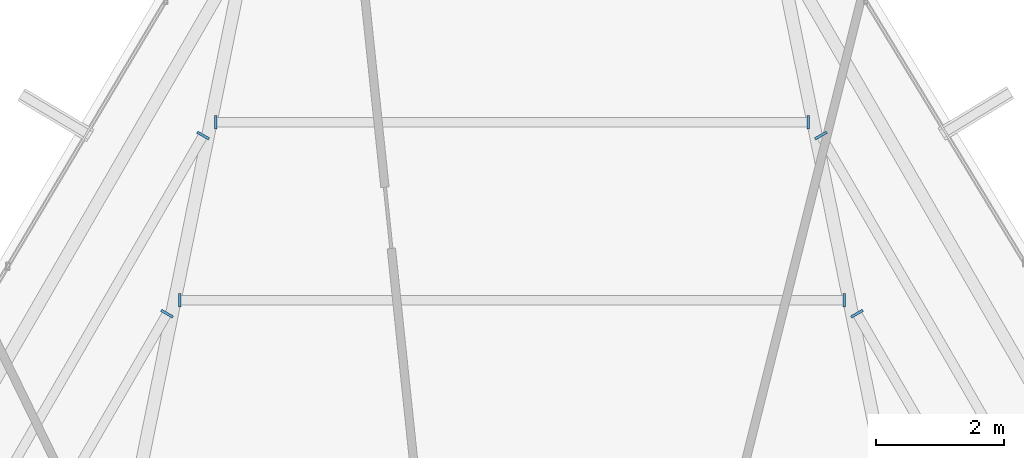
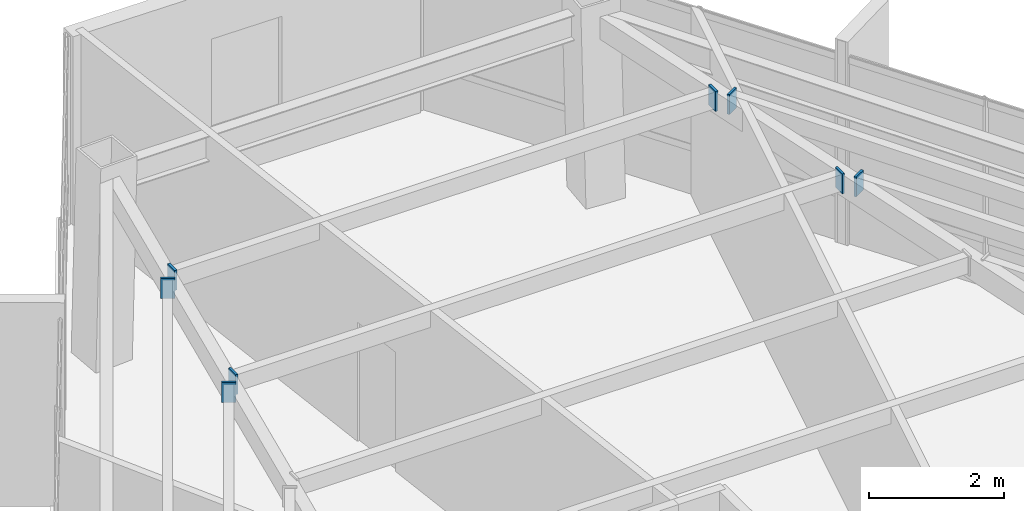
# One storey, part 39 of 45: 8 plates.
"""IFC4 building model written with IfcOpenShell, lengths in metres."""

from ifc_helpers import new_model, si_unit, direction, frame, origin, origin_2d, place, context, subcontext, project, spatial, rectangle, extrude, source, transform, mapped, material, layer, layer_set, type_object, type_shapes, element, save


model = new_model("IFC4")

# Units and contexts
model_context = context("Model", 3, precision=1e-05, world=origin(), true_north=direction((0.0, 1.0)))
body_context = subcontext(model_context, "Body", "Model", "MODEL_VIEW")
ifc_project = project(units=[si_unit("LENGTHUNIT", "METRE"), si_unit("AREAUNIT", "SQUARE_METRE"), si_unit("VOLUMEUNIT", "CUBIC_METRE"), si_unit("PLANEANGLEUNIT", "RADIAN"), si_unit("MASSUNIT", "GRAM", prefix="KILO")], contexts=[model_context])

# Site, building, storey
site_placement = place(None, origin())
site = spatial("IfcSite", under=ifc_project, at=site_placement, CompositionType="ELEMENT")
building_placement = place(site_placement, origin())
building = spatial("IfcBuilding", under=site, at=building_placement, Name="Caelisora Broadcast Tower", CompositionType="ELEMENT")
storey_placement = place(building_placement, frame((0.0, 0.0, 240.800048828125)))
storey = spatial("IfcBuildingStorey", under=building, at=storey_placement, Name="L63", CompositionType="ELEMENT", Elevation=240.800048828125)

# Plates
ifc_material = material(Name="Steel Grade 350 L15 (AS/NZS 3678)", Category="steel")
ifc_layer = layer(ifc_material, 0.0400390625, Name="Steel Grade 350 L15 (AS/NZS 3678)")
ifc_layer_set = layer_set([ifc_layer], Name="Steel Grade 350 L15 (AS/NZS 3678)")
plate_type = type_object("IfcPlateType", Name="GP04", PredefinedType="USERDEFINED", material=ifc_layer_set)
shared_shape = source(origin(), body_context, "Body", "SweptSolid", [
    extrude(rectangle(XDim=0.2099609375, YDim=0.0400390625, at=origin_2d()), origin(), (0.0, 0.0, 1.0), 0.360107421875),
])
type_shapes(plate_type, [shared_shape])
for number, where, z_axis, x_axis, name in (
    (1, (43.17529296875, 41.102294921875, 3.06982421875), (0.0, 0.0, 1.0), (0.0, -1.0, 0.0), "L63 gusset plate GP04 (ND-SB-L63-004A)"),
    (2, (32.82470703125, 41.102294921875, 3.06982421875), (0.0, 0.0, 1.0), (0.0, -1.0, 0.0), "L63 gusset plate GP04 (ND-SB-L63-004B)"),
    (3, (42.614013671875, 43.8779296875, 3.06982421875), (0.0, 0.0, 1.0), (0.0, -1.0, 0.0), "L63 gusset plate GP04 (ND-SB-L63-005A)"),
    (4, (33.385986328125, 43.8779296875, 3.06982421875), (0.0, 0.0, 1.0), (0.0, -1.0, 0.0), "L63 gusset plate GP04 (ND-SB-L63-005B)"),
    (5, (32.62548828125, 40.894287109375, 3.06982421875), (0.0, 0.0, 1.0), (0.866025403784, -0.5, 0.0), "L63 gusset plate GP04 (ND-SB-L63-008A)"),
    (6, (33.18701171875, 43.669921875, 3.06982421875), (0.0, 0.0, 1.0), (0.866025403784, -0.5, 0.0), "L63 gusset plate GP04 (ND-SB-L63-009A)"),
    (7, (43.37451171875, 40.894287109375, 3.06982421875), (0.0, 0.0, 1.0), (-0.866025403784, -0.5, 0.0), "L63 gusset plate GP04 (ND-SB-L63-051B)"),
    (8, (42.81298828125, 43.669921875, 3.06982421875), (0.0, 0.0, 1.0), (-0.866025403784, -0.5, 0.0), "L63 gusset plate GP04 (ND-SB-L63-052B)"),
):
    element("IfcPlate", number, at=place(storey_placement, frame(where, z_axis=z_axis, x_axis=x_axis)), inside=storey, type_object=plate_type, Name=name, ObjectType="GUSSET PLATE", PredefinedType="USERDEFINED", context=body_context, shape_type="MappedRepresentation", body=[
        mapped(shared_shape, transform((0.0, 0.0, 0.0), scale=1.0)),
    ])

save(model, "model.ifc")
